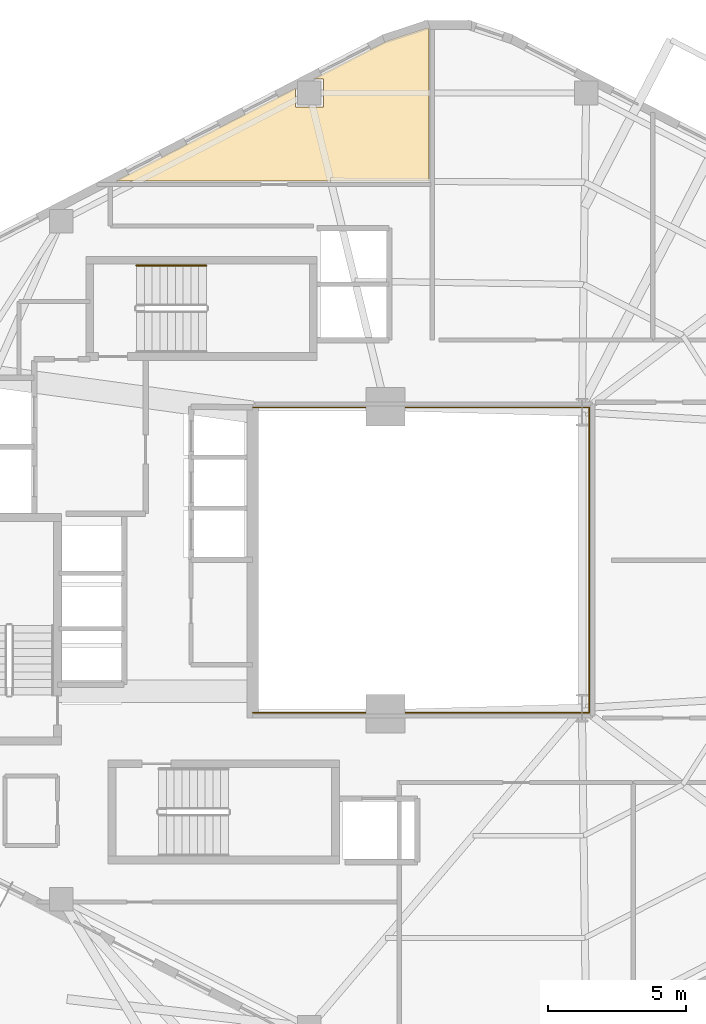
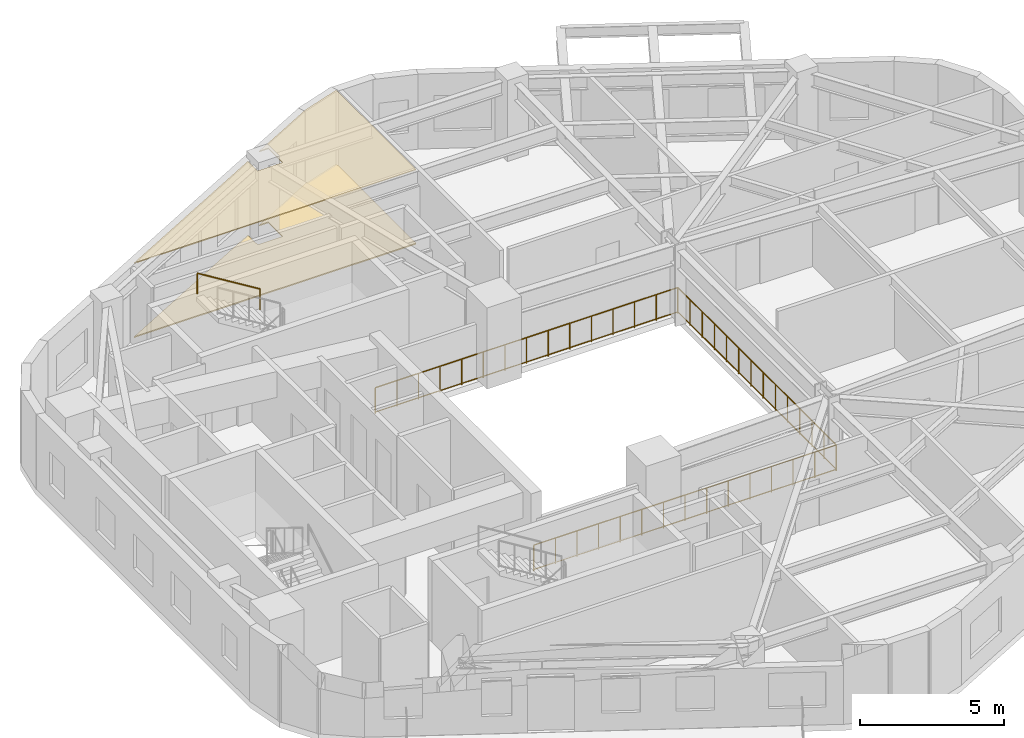
# One storey, part 7 of 7: 2 coverings, 2 railings.
"""IFC4 building model written with IfcOpenShell, lengths in metres."""

from ifc_helpers import new_model, si_unit, direction, frame, origin, origin_2d, place, context, subcontext, project, spatial, polyline, circle, outline, extrude, material, layer, layer_set, type_object, element, save


model = new_model("IFC4")

# Units and contexts
model_context = context("Model", 3, precision=1e-05, world=origin(), true_north=direction((0.0, 1.0)))
body_context = subcontext(model_context, "Body", "Model", "MODEL_VIEW")
ifc_project = project(units=[si_unit("LENGTHUNIT", "METRE"), si_unit("AREAUNIT", "SQUARE_METRE"), si_unit("VOLUMEUNIT", "CUBIC_METRE"), si_unit("PLANEANGLEUNIT", "RADIAN"), si_unit("MASSUNIT", "GRAM", prefix="KILO"), si_unit("THERMODYNAMICTEMPERATUREUNIT", "KELVIN"), si_unit("POWERUNIT", "WATT")], contexts=[model_context])

# Site, building, storey
site_placement = place(None, origin())
site = spatial("IfcSite", under=ifc_project, at=site_placement, CompositionType="ELEMENT")
building_placement = place(site_placement, origin())
building = spatial("IfcBuilding", under=site, at=building_placement, Name="Skarre Station Tower", CompositionType="ELEMENT")
storey_placement = place(building_placement, frame((0.0, 0.0, 184.35009765625)))
storey = spatial("IfcBuildingStorey", under=building, at=storey_placement, Name="L50", CompositionType="ELEMENT", Elevation=184.35009765625)

# Railing
ifc_material_1 = material(Name="Bronze Anodized Steel & Laminated Glass Balustrade", Category="steel")
railing_type_1 = type_object("IfcRailingType", Name="Atrium Void & Mezzanine Guard Balustrade 1120", PredefinedType="GUARDRAIL", material=ifc_material_1)
railing_1_placement = place(storey_placement, frame((27.550048828125, 18.47998046875, 0.0)))
element("IfcRailing", 1, at=railing_1_placement, inside=storey, type_object=railing_type_1, Name="L50 Atrium Void Guard Balustrade", PredefinedType="GUARDRAIL", context=body_context, shape_type="SweptSolid", body=[
    extrude(circle(Radius=0.02392578125, at=origin_2d()), frame((0.0, 0.0, 1.09619140625), z_axis=(1.0, 0.0, 0.0), x_axis=(0.0, 1.0, 0.0)), (0.0, 0.0, 1.0), 12.169921875),
    extrude(circle(Radius=0.02099609375, at=origin_2d()), frame((0.0, 0.0, 0.06005859375), z_axis=(1.0, 0.0, 0.0), x_axis=(0.0, 1.0, 0.0)), (0.0, 0.0, 1.0), 12.169921875),
    extrude(circle(Radius=0.02392578125, at=origin_2d()), frame((12.169921875, 0.0, 1.09619140625), z_axis=(0.0, 1.0, 0.0), x_axis=(-1.0, 0.0, 0.0)), (0.0, 0.0, 1.0), 11.0400390625),
    extrude(circle(Radius=0.02099609375, at=origin_2d()), frame((12.169921875, 0.0, 0.06005859375), z_axis=(0.0, 1.0, 0.0), x_axis=(-1.0, 0.0, 0.0)), (0.0, 0.0, 1.0), 11.0400390625),
    extrude(circle(Radius=0.02392578125, at=origin_2d()), frame((12.169921875, 11.0400390625, 1.09619140625), z_axis=(-1.0, 0.0, 0.0), x_axis=(0.0, -1.0, 0.0)), (0.0, 0.0, 1.0), 12.169921875),
    extrude(circle(Radius=0.02099609375, at=origin_2d()), frame((12.169921875, 11.0400390625, 0.06005859375), z_axis=(-1.0, 0.0, 0.0), x_axis=(0.0, -1.0, 0.0)), (0.0, 0.0, 1.0), 12.169921875),
    extrude(circle(Radius=0.02099609375, at=origin_2d()), origin(), (0.0, 0.0, 1.0), 1.072021484375),
    extrude(circle(Radius=0.02099609375, at=origin_2d()), frame((0.869384765625, 0.0, 0.0)), (0.0, 0.0, 1.0), 1.072021484375),
    extrude(circle(Radius=0.02099609375, at=origin_2d()), frame((1.738525390625, 0.0, 0.0)), (0.0, 0.0, 1.0), 1.072021484375),
    extrude(circle(Radius=0.02099609375, at=origin_2d()), frame((2.60791015625, 0.0, 0.0)), (0.0, 0.0, 1.0), 1.072021484375),
    extrude(circle(Radius=0.02099609375, at=origin_2d()), frame((3.47705078125, 0.0, 0.0)), (0.0, 0.0, 1.0), 1.072021484375),
    extrude(circle(Radius=0.02099609375, at=origin_2d()), frame((4.346435546875, 0.0, 0.0)), (0.0, 0.0, 1.0), 1.072021484375),
    extrude(circle(Radius=0.02099609375, at=origin_2d()), frame((5.215576171875, 0.0, 0.0)), (0.0, 0.0, 1.0), 1.072021484375),
    extrude(circle(Radius=0.02099609375, at=origin_2d()), frame((6.0849609375, 0.0, 0.0)), (0.0, 0.0, 1.0), 1.072021484375),
    extrude(circle(Radius=0.02099609375, at=origin_2d()), frame((6.954345703125, 0.0, 0.0)), (0.0, 0.0, 1.0), 1.072021484375),
    extrude(circle(Radius=0.02099609375, at=origin_2d()), frame((7.823486328125, 0.0, 0.0)), (0.0, 0.0, 1.0), 1.072021484375),
    extrude(circle(Radius=0.02099609375, at=origin_2d()), frame((8.69287109375, 0.0, 0.0)), (0.0, 0.0, 1.0), 1.072021484375),
    extrude(circle(Radius=0.02099609375, at=origin_2d()), frame((9.56201171875, 0.0, 0.0)), (0.0, 0.0, 1.0), 1.072021484375),
    extrude(circle(Radius=0.02099609375, at=origin_2d()), frame((10.431396484375, 0.0, 0.0)), (0.0, 0.0, 1.0), 1.072021484375),
    extrude(circle(Radius=0.02099609375, at=origin_2d()), frame((11.300537109375, 0.0, 0.0)), (0.0, 0.0, 1.0), 1.072021484375),
    extrude(circle(Radius=0.02099609375, at=origin_2d()), frame((12.169921875, 0.0, 0.0)), (0.0, 0.0, 1.0), 1.072021484375),
    extrude(circle(Radius=0.02099609375, at=origin_2d()), frame((12.169921875, 0.84912109375, 0.0)), (0.0, 0.0, 1.0), 1.072021484375),
    extrude(circle(Radius=0.02099609375, at=origin_2d()), frame((12.169921875, 1.698486328125, 0.0)), (0.0, 0.0, 1.0), 1.072021484375),
    extrude(circle(Radius=0.02099609375, at=origin_2d()), frame((12.169921875, 2.547607421875, 0.0)), (0.0, 0.0, 1.0), 1.072021484375),
    extrude(circle(Radius=0.02099609375, at=origin_2d()), frame((12.169921875, 3.39697265625, 0.0)), (0.0, 0.0, 1.0), 1.072021484375),
    extrude(circle(Radius=0.02099609375, at=origin_2d()), frame((12.169921875, 4.24609375, 0.0)), (0.0, 0.0, 1.0), 1.072021484375),
    extrude(circle(Radius=0.02099609375, at=origin_2d()), frame((12.169921875, 5.095458984375, 0.0)), (0.0, 0.0, 1.0), 1.072021484375),
    extrude(circle(Radius=0.02099609375, at=origin_2d()), frame((12.169921875, 5.944580078125, 0.0)), (0.0, 0.0, 1.0), 1.072021484375),
    extrude(circle(Radius=0.02099609375, at=origin_2d()), frame((12.169921875, 6.7939453125, 0.0)), (0.0, 0.0, 1.0), 1.072021484375),
    extrude(circle(Radius=0.02099609375, at=origin_2d()), frame((12.169921875, 7.64306640625, 0.0)), (0.0, 0.0, 1.0), 1.072021484375),
    extrude(circle(Radius=0.02099609375, at=origin_2d()), frame((12.169921875, 8.492431640625, 0.0)), (0.0, 0.0, 1.0), 1.072021484375),
    extrude(circle(Radius=0.02099609375, at=origin_2d()), frame((12.169921875, 9.341552734375, 0.0)), (0.0, 0.0, 1.0), 1.072021484375),
    extrude(circle(Radius=0.02099609375, at=origin_2d()), frame((12.169921875, 10.19091796875, 0.0)), (0.0, 0.0, 1.0), 1.072021484375),
    extrude(circle(Radius=0.02099609375, at=origin_2d()), frame((12.169921875, 11.0400390625, 0.0)), (0.0, 0.0, 1.0), 1.072021484375),
    extrude(circle(Radius=0.02099609375, at=origin_2d()), frame((11.300537109375, 11.0400390625, 0.0)), (0.0, 0.0, 1.0), 1.072021484375),
    extrude(circle(Radius=0.02099609375, at=origin_2d()), frame((10.431396484375, 11.0400390625, 0.0)), (0.0, 0.0, 1.0), 1.072021484375),
    extrude(circle(Radius=0.02099609375, at=origin_2d()), frame((9.56201171875, 11.0400390625, 0.0)), (0.0, 0.0, 1.0), 1.072021484375),
    extrude(circle(Radius=0.02099609375, at=origin_2d()), frame((8.69287109375, 11.0400390625, 0.0)), (0.0, 0.0, 1.0), 1.072021484375),
    extrude(circle(Radius=0.02099609375, at=origin_2d()), frame((7.823486328125, 11.0400390625, 0.0)), (0.0, 0.0, 1.0), 1.072021484375),
    extrude(circle(Radius=0.02099609375, at=origin_2d()), frame((6.954345703125, 11.0400390625, 0.0)), (0.0, 0.0, 1.0), 1.072021484375),
    extrude(circle(Radius=0.02099609375, at=origin_2d()), frame((6.0849609375, 11.0400390625, 0.0)), (0.0, 0.0, 1.0), 1.072021484375),
    extrude(circle(Radius=0.02099609375, at=origin_2d()), frame((5.215576171875, 11.0400390625, 0.0)), (0.0, 0.0, 1.0), 1.072021484375),
    extrude(circle(Radius=0.02099609375, at=origin_2d()), frame((4.346435546875, 11.0400390625, 0.0)), (0.0, 0.0, 1.0), 1.072021484375),
    extrude(circle(Radius=0.02099609375, at=origin_2d()), frame((3.47705078125, 11.0400390625, 0.0)), (0.0, 0.0, 1.0), 1.072021484375),
    extrude(circle(Radius=0.02099609375, at=origin_2d()), frame((2.60791015625, 11.0400390625, 0.0)), (0.0, 0.0, 1.0), 1.072021484375),
    extrude(circle(Radius=0.02099609375, at=origin_2d()), frame((1.738525390625, 11.0400390625, 0.0)), (0.0, 0.0, 1.0), 1.072021484375),
    extrude(circle(Radius=0.02099609375, at=origin_2d()), frame((0.869384765625, 11.0400390625, 0.0)), (0.0, 0.0, 1.0), 1.072021484375),
    extrude(circle(Radius=0.02099609375, at=origin_2d()), frame((0.0, 11.0400390625, 0.0)), (0.0, 0.0, 1.0), 1.072021484375),
])

# Coverings
ifc_material_2 = material(Name="Honed Jura Limestone & Calcium-Sulfate Access Tile", Category="masonry")
ifc_layer_1 = layer(ifc_material_2, 0.050048828125, Name="Honed Jura Limestone & Calcium-Sulfate Access Tile")
ifc_layer_set_1 = layer_set([ifc_layer_1], Name="Honed Jura Limestone & Calcium-Sulfate Access Tile")
covering_type_1 = type_object("IfcCoveringType", Name="Honed Limestone & Raised Access Floor Finish 50", PredefinedType="FLOORING", material=ifc_layer_set_1)
covering_1_placement = place(storey_placement, origin())
element("IfcCovering", 2, at=covering_1_placement, inside=storey, type_object=covering_type_1, Name="L50 Limestone Access Flooring 1", PredefinedType="FLOORING", context=body_context, shape_type="SweptSolid", body=[
    extrude(outline(polyline([(33.919921875, 43.24609375), (33.845947265625, 43.24609375), (32.39208984375, 42.76806640625), (29.72705078125, 41.39306640625), (30.10302734375, 41.39306640625), (30.10302734375, 40.383056640625), (29.093017578125, 40.383056640625), (29.093017578125, 41.06591796875), (22.571044921875, 37.699951171875), (33.919921875, 37.699951171875), (33.919921875, 43.24609375)])), origin(), (0.0, 0.0, 1.0), 0.0498046875),
])
ifc_material_3 = material(Name="Perforated Nordic Birch Veneer & Mineral Wool", Category="wood")
ifc_layer_2 = layer(ifc_material_3, 0.044921875, Name="Perforated Nordic Birch Veneer & Mineral Wool")
ifc_layer_set_2 = layer_set([ifc_layer_2], Name="Perforated Nordic Birch Veneer & Mineral Wool")
covering_type_2 = type_object("IfcCoveringType", Name="Nordic Birch Slatted Acoustic Suspended Ceiling 45", PredefinedType="CEILING", material=ifc_layer_set_2)
covering_2_placement = place(storey_placement, frame((0.0, 0.0, 3.14501953125)))
element("IfcCovering", 3, at=covering_2_placement, inside=storey, type_object=covering_type_2, Name="L50 Acoustic Birch Ceiling 1", PredefinedType="CEILING", context=body_context, shape_type="SweptSolid", body=[
    extrude(outline(polyline([(33.919921875, 43.24609375), (33.845947265625, 43.24609375), (32.39208984375, 42.76806640625), (29.72705078125, 41.39306640625), (30.10302734375, 41.39306640625), (30.10302734375, 40.383056640625), (29.093017578125, 40.383056640625), (29.093017578125, 41.06591796875), (22.571044921875, 37.699951171875), (33.919921875, 37.699951171875), (33.919921875, 43.24609375)])), origin(), (0.0, 0.0, 1.0), 0.044921875),
])

# Railing
ifc_material_4 = material(Name="Powder-Coated Tubular Steel", Category="steel")
railing_type_2 = type_object("IfcRailingType", Name="Painted Steel Ramp & Stair Handrail 920", PredefinedType="HANDRAIL", material=ifc_material_4)
railing_2_placement = place(storey_placement, frame((25.8701171875, 34.64990234375, 1.8974609375)))
element("IfcRailing", 4, at=railing_2_placement, inside=storey, type_object=railing_type_2, Name="L50 ST-3 stair handrail 2", PredefinedType="HANDRAIL", context=body_context, shape_type="SweptSolid", body=[
    extrude(circle(Radius=0.02392578125, at=origin_2d()), frame((0.0, 0.0, 0.8759765625), z_axis=(-0.851400495292, 0.0, 0.524516154772), x_axis=(0.0, -1.0, 0.0)), (0.0, 0.0, 1.0), 2.9599609375),
    extrude(circle(Radius=0.02099609375, at=origin_2d()), origin(), (0.0, 0.0, 1.0), 0.851806640625),
    extrude(circle(Radius=0.02099609375, at=origin_2d()), frame((-2.52001953125, 0.0, 1.552490234375)), (0.0, 0.0, 1.0), 0.851806640625),
])

save(model, "model.ifc")
